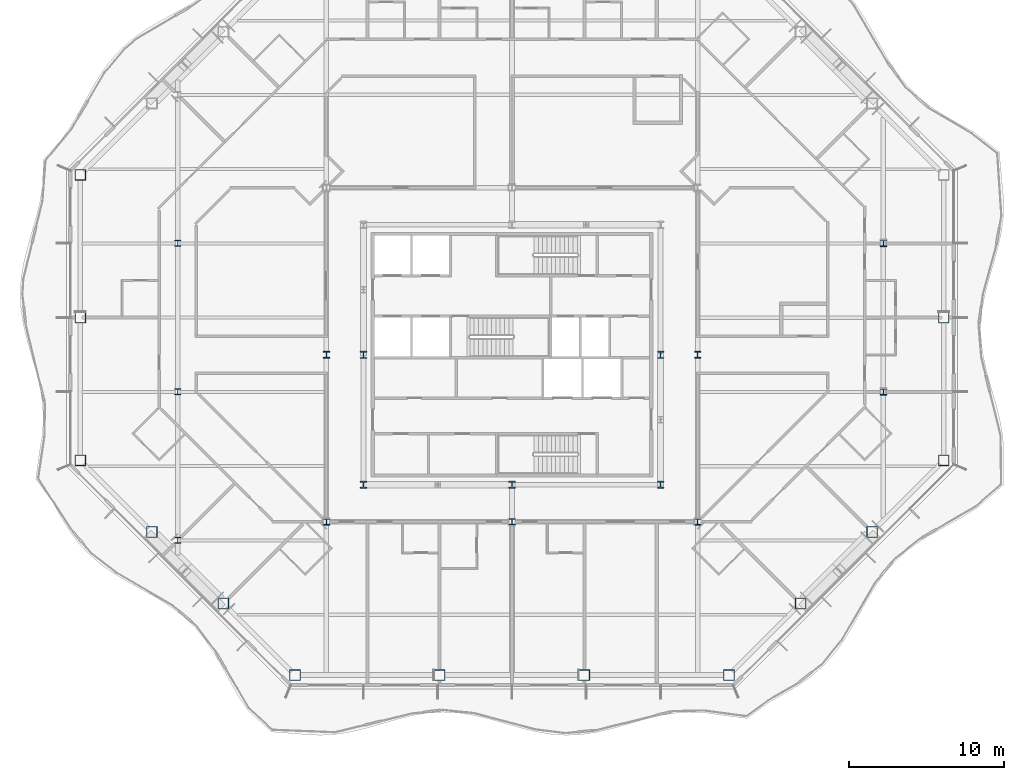
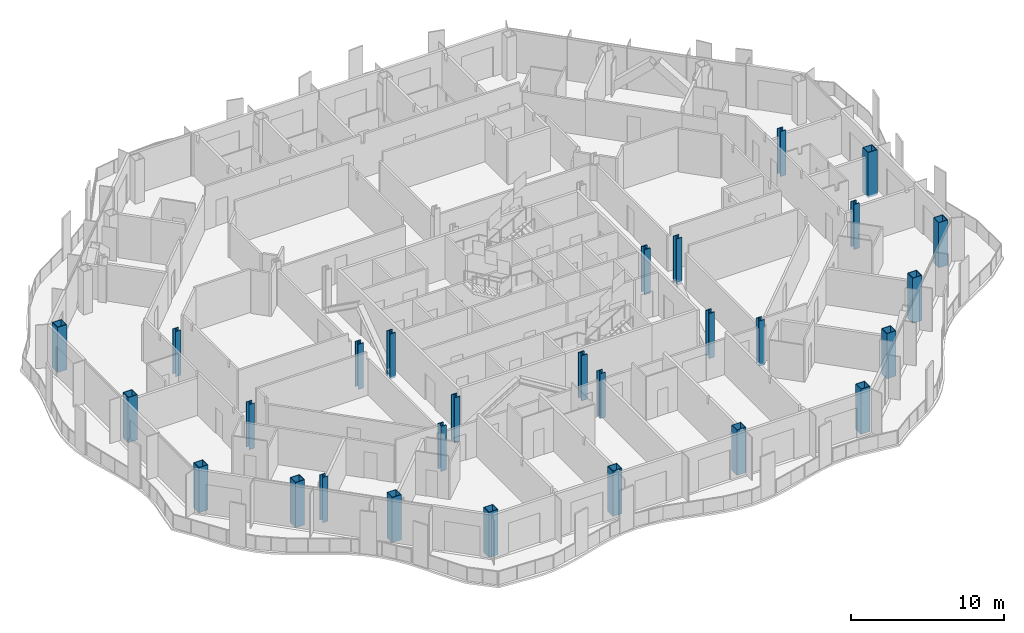
# One storey, part 1 of 21: 28 columns.
"""IFC4 building model written with IfcOpenShell, lengths in metres."""

from ifc_helpers import new_model, si_unit, direction, frame, origin, origin_2d, place, context, subcontext, project, spatial, hollow_rectangle, i_section, extrude, material, material_profile, profile_set, type_object, element, save


model = new_model("IFC4")

# Units and contexts
model_context = context("Model", 3, precision=1e-05, world=origin(), true_north=direction((0.0, 1.0)))
body_context = subcontext(model_context, "Body", "Model", "MODEL_VIEW")
ifc_project = project(units=[si_unit("LENGTHUNIT", "METRE"), si_unit("AREAUNIT", "SQUARE_METRE"), si_unit("VOLUMEUNIT", "CUBIC_METRE"), si_unit("PLANEANGLEUNIT", "RADIAN"), si_unit("MASSUNIT", "GRAM", prefix="KILO")], contexts=[model_context])

# Site, building, storey
site_placement = place(None, origin())
site = spatial("IfcSite", under=ifc_project, at=site_placement, CompositionType="ELEMENT")
building_placement = place(site_placement, origin())
building = spatial("IfcBuilding", under=site, at=building_placement, Name="Cairn Pilgrim Tower", CompositionType="ELEMENT")
storey_placement = place(building_placement, frame((0.0, 0.0, 136.199951171875)))
storey = spatial("IfcBuildingStorey", under=building, at=storey_placement, Name="L33", CompositionType="ELEMENT", Elevation=136.199951171875)

# Columns
ifc_material_1 = material(Name="Structural steel S460M", Category="steel")
ifc_material_profile_1 = material_profile(ifc_material_1, hollow_rectangle(XDim=0.699951171875, YDim=0.699951171875, WallThickness=0.0400390625, at=origin_2d()), Name="BOX 700x700x40")
ifc_profile_set_1 = profile_set([ifc_material_profile_1], Name="Structural steel S460M")
column_type_1 = type_object("IfcColumnType", Name="BOX 700x700x40", PredefinedType="COLUMN", material=ifc_profile_set_1)
for number, where, z_axis, x_axis, name in (
    (1, (-6.8271484375, -18.300048828125, -0.14990234375), (0.0, 0.0, 1.0), (1.0, 0.0, 0.0), "PC2-S1"),
    (2, (2.5244140625, -18.300048828125, -0.14990234375), (0.0, 0.0, 1.0), (1.0, 0.0, 0.0), "PC2-S2"),
    (3, (11.875732421875, -18.300048828125, -0.14990234375), (0.0, 0.0, 1.0), (1.0, 0.0, 0.0), "PC2-S3"),
    (4, (21.227294921875, -18.300048828125, -0.14990234375), (0.0, 0.0, 1.0), (1.0, 0.0, 0.0), "PC2-SE1"),
    (5, (25.8515625, -13.67578125, -0.14990234375), (0.0, 0.0, 1.0), (1.0, 0.0, 0.0), "PC2-SE2"),
    (6, (30.4755859375, -9.051513671875, -0.14990234375), (0.0, 0.0, 1.0), (1.0, 0.0, 0.0), "PC2-SE3"),
    (7, (35.10009765625, -4.42724609375, -0.14990234375), (0.0, 0.0, 1.0), (1.0, 0.0, 0.0), "PC2-E1"),
    (8, (35.10009765625, 4.800048828125, -0.14990234375), (0.0, 0.0, 1.0), (1.0, 0.0, 0.0), "PC2-E2"),
    (9, (-20.699951171875, 14.027099609375, -0.14990234375), (0.0, 0.0, 1.0), (1.0, 0.0, 0.0), "PC2-W1"),
    (10, (-20.699951171875, 4.800048828125, -0.14990234375), (0.0, 0.0, 1.0), (1.0, 0.0, 0.0), "PC2-W2"),
    (11, (-20.699951171875, -4.42724609375, -0.14990234375), (0.0, 0.0, 1.0), (1.0, 0.0, 0.0), "PC2-SW1"),
    (12, (-16.07568359375, -9.051513671875, -0.14990234375), (0.0, 0.0, 1.0), (1.0, 0.0, 0.0), "PC2-SW2"),
    (13, (-11.451416015625, -13.67578125, -0.14990234375), (0.0, 0.0, 1.0), (1.0, 0.0, 0.0), "PC2-SW3"),
):
    element("IfcColumn", number, at=place(storey_placement, frame(where, z_axis=z_axis, x_axis=x_axis)), inside=storey, type_object=column_type_1, Name=name, PredefinedType="COLUMN", context=body_context, shape_type="SweptSolid", body=[
        extrude(hollow_rectangle(XDim=0.699951171875, YDim=0.699951171875, WallThickness=0.0400390625, at=origin_2d()), origin(), (0.0, 0.0, 1.0), 3.599853515625),
    ])
ifc_material_2 = material(Name="Structural steel S355J2", Category="steel")
ifc_material_profile_2 = material_profile(ifc_material_2, i_section(OverallWidth=0.39892578125, OverallDepth=0.39306640625, WebThickness=0.022705078125, FlangeThickness=0.03662109375, FilletRadius=0.014892578125, at=origin_2d()), Name="HD 400x287")
ifc_profile_set_2 = profile_set([ifc_material_profile_2], Name="Structural steel S355J2")
column_type_2 = type_object("IfcColumnType", Name="HD 400x287", PredefinedType="COLUMN", material=ifc_profile_set_2)
for number, where, z_axis, x_axis, name in (
    (14, (-14.39990234375, -9.60009765625, -0.14990234375), (0.0, 0.0, 1.0), (1.0, 0.0, 0.0), "WC-WW-2"),
    (15, (-14.39990234375, 0.0, -0.14990234375), (0.0, 0.0, 1.0), (1.0, 0.0, 0.0), "WC-WW+0"),
    (16, (-14.39990234375, 9.60009765625, -0.14990234375), (0.0, 0.0, 1.0), (1.0, 0.0, 0.0), "WC-WW+2"),
):
    element("IfcColumn", number, at=place(storey_placement, frame(where, z_axis=z_axis, x_axis=x_axis)), inside=storey, type_object=column_type_2, Name=name, PredefinedType="COLUMN", context=body_context, shape_type="SweptSolid", body=[
        extrude(i_section(OverallWidth=0.39892578125, OverallDepth=0.39306640625, WebThickness=0.022705078125, FlangeThickness=0.03662109375, FilletRadius=0.014892578125, at=origin_2d()), origin(), (0.0, 0.0, 1.0), 3.599853515625),
    ])
ifc_material_profile_3 = material_profile(ifc_material_1, i_section(OverallWidth=0.408935546875, OverallDepth=0.425048828125, WebThickness=0.03271484375, FlangeThickness=0.052490234375, FilletRadius=0.014892578125, at=origin_2d()), Name="HD 400x421")
ifc_profile_set_3 = profile_set([ifc_material_profile_3], Name="Structural steel S460M")
column_type_3 = type_object("IfcColumnType", Name="HD 400x421", PredefinedType="COLUMN", material=ifc_profile_set_3)
for number, where, z_axis, x_axis, name in (
    (17, (-4.800048828125, -8.39990234375, -0.14990234375), (0.0, 0.0, 1.0), (1.0, 0.0, 0.0), "IC-1"),
    (18, (7.199951171875, -8.39990234375, -0.14990234375), (0.0, 0.0, 1.0), (1.0, 0.0, 0.0), "IC-2"),
    (19, (19.199951171875, -8.39990234375, -0.14990234375), (0.0, 0.0, 1.0), (1.0, 0.0, 0.0), "IC-3"),
    (20, (-4.800048828125, 2.39990234375, -0.14990234375), (0.0, 0.0, 1.0), (1.0, 0.0, 0.0), "IC-4"),
    (21, (19.199951171875, 2.39990234375, -0.14990234375), (0.0, 0.0, 1.0), (1.0, 0.0, 0.0), "IC-5"),
    (22, (31.199951171875, 0.0, -0.14990234375), (0.0, 0.0, 1.0), (1.0, 0.0, 0.0), "WC-WE+0"),
    (23, (31.199951171875, 9.60009765625, -0.14990234375), (0.0, 0.0, 1.0), (1.0, 0.0, 0.0), "WC-WE+2"),
):
    element("IfcColumn", number, at=place(storey_placement, frame(where, z_axis=z_axis, x_axis=x_axis)), inside=storey, type_object=column_type_3, Name=name, PredefinedType="COLUMN", context=body_context, shape_type="SweptSolid", body=[
        extrude(i_section(OverallWidth=0.408935546875, OverallDepth=0.425048828125, WebThickness=0.03271484375, FlangeThickness=0.052490234375, FilletRadius=0.014892578125, at=origin_2d()), origin(), (0.0, 0.0, 1.0), 3.599853515625),
    ])
ifc_material_profile_4 = material_profile(ifc_material_1, i_section(OverallWidth=0.424072265625, OverallDepth=0.47412109375, WebThickness=0.047607421875, FlangeThickness=0.0771484375, FilletRadius=0.014892578125, at=origin_2d()), Name="HD 400x634")
ifc_profile_set_4 = profile_set([ifc_material_profile_4], Name="Structural steel S460M")
column_type_4 = type_object("IfcColumnType", Name="HD 400x634", PredefinedType="COLUMN", material=ifc_profile_set_4)
for number, where, z_axis, x_axis, name in (
    (24, (-2.39990234375, -6.0, -0.14990234375), (0.0, 0.0, 1.0), (1.0, 0.0, 0.0), "KC-1"),
    (25, (7.199951171875, -6.0, -0.14990234375), (0.0, 0.0, 1.0), (1.0, 0.0, 0.0), "KC-2"),
    (26, (16.800048828125, -6.0, -0.14990234375), (0.0, 0.0, 1.0), (1.0, 0.0, 0.0), "KC-3"),
    (27, (-2.39990234375, 2.39990234375, -0.14990234375), (0.0, 0.0, 1.0), (1.0, 0.0, 0.0), "KC-4"),
    (28, (16.800048828125, 2.39990234375, -0.14990234375), (0.0, 0.0, 1.0), (1.0, 0.0, 0.0), "KC-5"),
):
    element("IfcColumn", number, at=place(storey_placement, frame(where, z_axis=z_axis, x_axis=x_axis)), inside=storey, type_object=column_type_4, Name=name, PredefinedType="COLUMN", context=body_context, shape_type="SweptSolid", body=[
        extrude(i_section(OverallWidth=0.424072265625, OverallDepth=0.47412109375, WebThickness=0.047607421875, FlangeThickness=0.0771484375, FilletRadius=0.014892578125, at=origin_2d()), origin(), (0.0, 0.0, 1.0), 3.599853515625),
    ])

save(model, "model.ifc")
